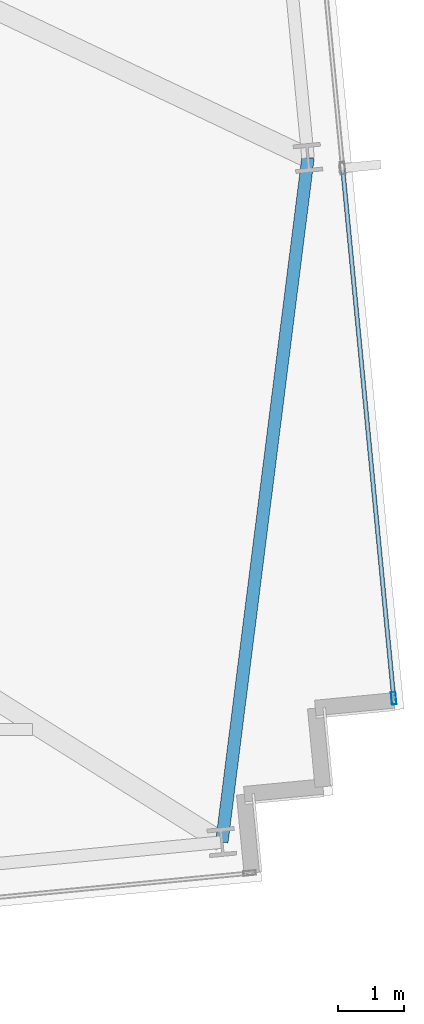
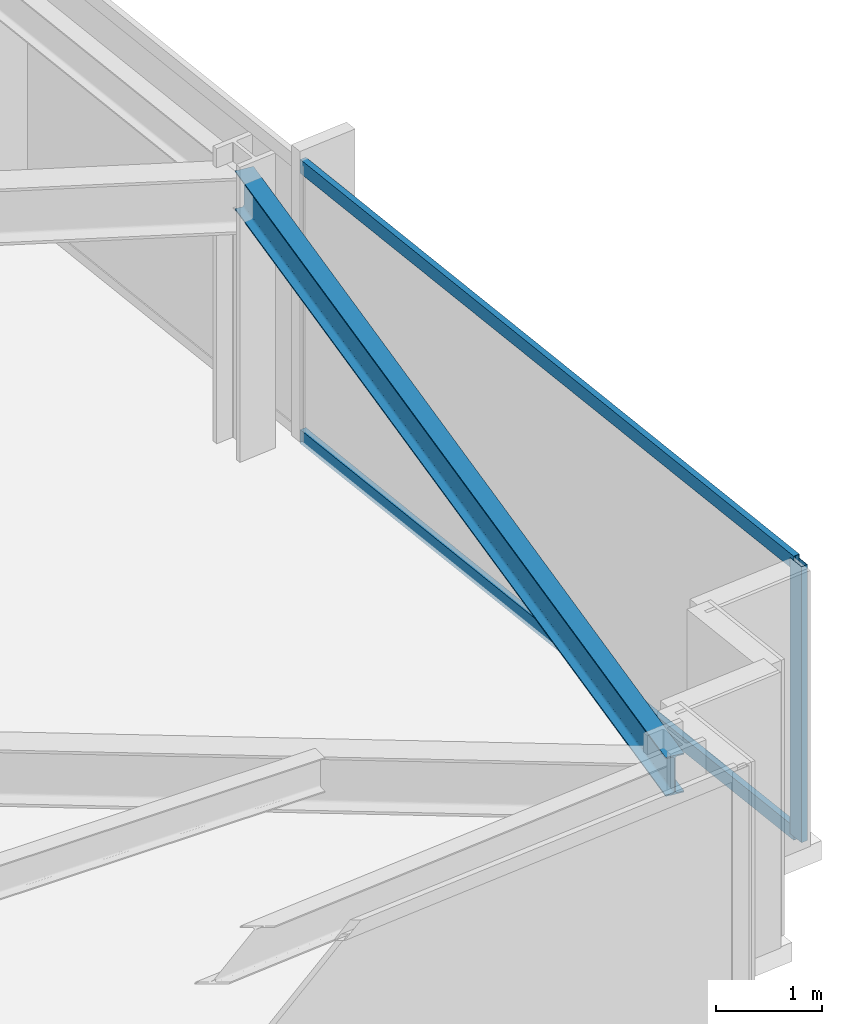
# One storey, part 14 of 32: 3 members, 1 beam, 1 element without a shape of its own.
"""IFC4 building model written with IfcOpenShell, lengths in metres."""

from ifc_helpers import new_model, si_unit, direction, frame, origin, origin_2d, place, context, subcontext, project, spatial, hollow_rectangle, i_section, extrude, material, material_profile, profile_set, type_object, element, aggregate, save


model = new_model("IFC4")

# Units and contexts
model_context = context("Model", 3, precision=1e-05, world=origin(), true_north=direction((0.0, 1.0)))
body_context = subcontext(model_context, "Body", "Model", "MODEL_VIEW")
ifc_project = project(units=[si_unit("LENGTHUNIT", "METRE"), si_unit("AREAUNIT", "SQUARE_METRE"), si_unit("VOLUMEUNIT", "CUBIC_METRE"), si_unit("PLANEANGLEUNIT", "RADIAN"), si_unit("MASSUNIT", "GRAM", prefix="KILO")], contexts=[model_context])

# Site, building, storey
site_placement = place(None, origin())
site = spatial("IfcSite", under=ifc_project, at=site_placement, CompositionType="ELEMENT")
building_placement = place(site_placement, origin())
building = spatial("IfcBuilding", under=site, at=building_placement, Name="Yelkora Congress Tower", CompositionType="ELEMENT")
storey_placement = place(building_placement, frame((0.0, 0.0, 116.89990234375)))
storey = spatial("IfcBuildingStorey", under=building, at=storey_placement, Name="L31", CompositionType="ELEMENT", Elevation=116.89990234375)

# Beam
ifc_material_1 = material(Name="Steel S355J2", Category="steel")
ifc_material_profile_1 = material_profile(ifc_material_1, i_section(OverallWidth=0.18994140625, OverallDepth=0.449951171875, WebThickness=0.009521484375, FlangeThickness=0.0146484375, FilletRadius=0.02099609375, at=origin_2d()), Name="IPE 450")
ifc_profile_set_1 = profile_set([ifc_material_profile_1], Name="Steel S355J2")
beam_type = type_object("IfcBeamType", Name="BM-SPAN-IPE450", PredefinedType="SPANDREL", material=ifc_profile_set_1)
beam_placement = place(storey_placement, frame((74.73193359375, 14.43505859375, 2.955078125), z_axis=(0.124929198684, 0.99216565921, 0.0), x_axis=(-0.99216565921, 0.124929198684, 0.0)))
element("IfcBeam", 1, at=beam_placement, inside=storey, type_object=beam_type, Name="L31 Perimeter Beam 10", PredefinedType="SPANDREL", context=body_context, shape_type="SweptSolid", body=[
    extrude(i_section(OverallWidth=0.18994140625, OverallDepth=0.449951171875, WebThickness=0.009521484375, FlangeThickness=0.0146484375, FilletRadius=0.02099609375, at=origin_2d()), origin(), (0.0, 0.0, 1.0), 10.48046875),
])

# Curtain wall, members
ifc_material_2 = material(Name="Anodised aluminium and insulated glass", Category="aluminium")
curtain_wall_type = type_object("IfcCurtainWallType", Name="CW-SYS-B2", PredefinedType="NOTDEFINED", material=ifc_material_2)
curtain_wall_placement = place(storey_placement, origin())
curtain_wall = element("IfcCurtainWall", 2, at=curtain_wall_placement, inside=storey, type_object=curtain_wall_type, Name="L31 Unitised Curtain Wall 15", PredefinedType="NOTDEFINED")
ifc_material_3 = material(Name="Anodised aluminium 6063-T6", Category="aluminium")
ifc_material_profile_2 = material_profile(ifc_material_3, hollow_rectangle(XDim=0.070068359375, YDim=0.18994140625, WallThickness=0.00390625, at=origin_2d()), Name="ALU 70x190x4")
ifc_profile_set_2 = profile_set([ifc_material_profile_2], Name="Anodised aluminium 6063-T6")
member_type_1 = type_object("IfcMemberType", Name="MEM-ML-B2", PredefinedType="MULLION", material=ifc_profile_set_2)
member_1_placement = place(storey_placement, frame((77.34423828125, 16.62060546875, 0.0), z_axis=(0.0, 0.0, 1.0), x_axis=(0.995396507508, 0.095842541913, 0.0)))
member_1 = element("IfcMember", 3, at=member_1_placement, type_object=member_type_1, Name="CW-B2 mullion 5", PredefinedType="MULLION", context=body_context, shape_type="SweptSolid", body=[
    extrude(hollow_rectangle(XDim=0.070068359375, YDim=0.18994140625, WallThickness=0.00390625, at=origin_2d()), origin(), (0.0, 0.0, 1.0), 3.18017578125),
])
ifc_material_profile_3 = material_profile(ifc_material_3, hollow_rectangle(XDim=0.06494140625, YDim=0.159912109375, WallThickness=0.00390625, at=origin_2d()), Name="ALU 65x160x4")
ifc_profile_set_3 = profile_set([ifc_material_profile_3], Name="Anodised aluminium 6063-T6")
member_type_2 = type_object("IfcMemberType", Name="MEM-TR-B2", PredefinedType="USERDEFINED", material=ifc_profile_set_3)
member_2_placement = place(storey_placement, frame((76.57177734375, 24.6435546875, 0.03271484375), z_axis=(0.095858482834, -0.995394972495, 0.0), x_axis=(0.995394972495, 0.095858482834, 0.0)))
member_2 = element("IfcMember", 4, at=member_2_placement, type_object=member_type_2, Name="CW-B2 transom 4.1", ObjectType="TRANSOM", PredefinedType="USERDEFINED", context=body_context, shape_type="SweptSolid", body=[
    extrude(hollow_rectangle(XDim=0.06494140625, YDim=0.159912109375, WallThickness=0.00390625, at=origin_2d()), origin(), (0.0, 0.0, 1.0), 8.025146484375),
])
member_3_placement = place(storey_placement, frame((76.57177734375, 24.6435546875, 3.147705078125), z_axis=(0.095858482834, -0.995394972495, 0.0), x_axis=(0.995394972495, 0.095858482834, 0.0)))
member_3 = element("IfcMember", 5, at=member_3_placement, type_object=member_type_2, Name="CW-B2 transom 4.2", ObjectType="TRANSOM", PredefinedType="USERDEFINED", context=body_context, shape_type="SweptSolid", body=[
    extrude(hollow_rectangle(XDim=0.06494140625, YDim=0.159912109375, WallThickness=0.00390625, at=origin_2d()), origin(), (0.0, 0.0, 1.0), 8.025146484375),
])
aggregate(curtain_wall, [member_1, member_2, member_3])

save(model, "model.ifc")
